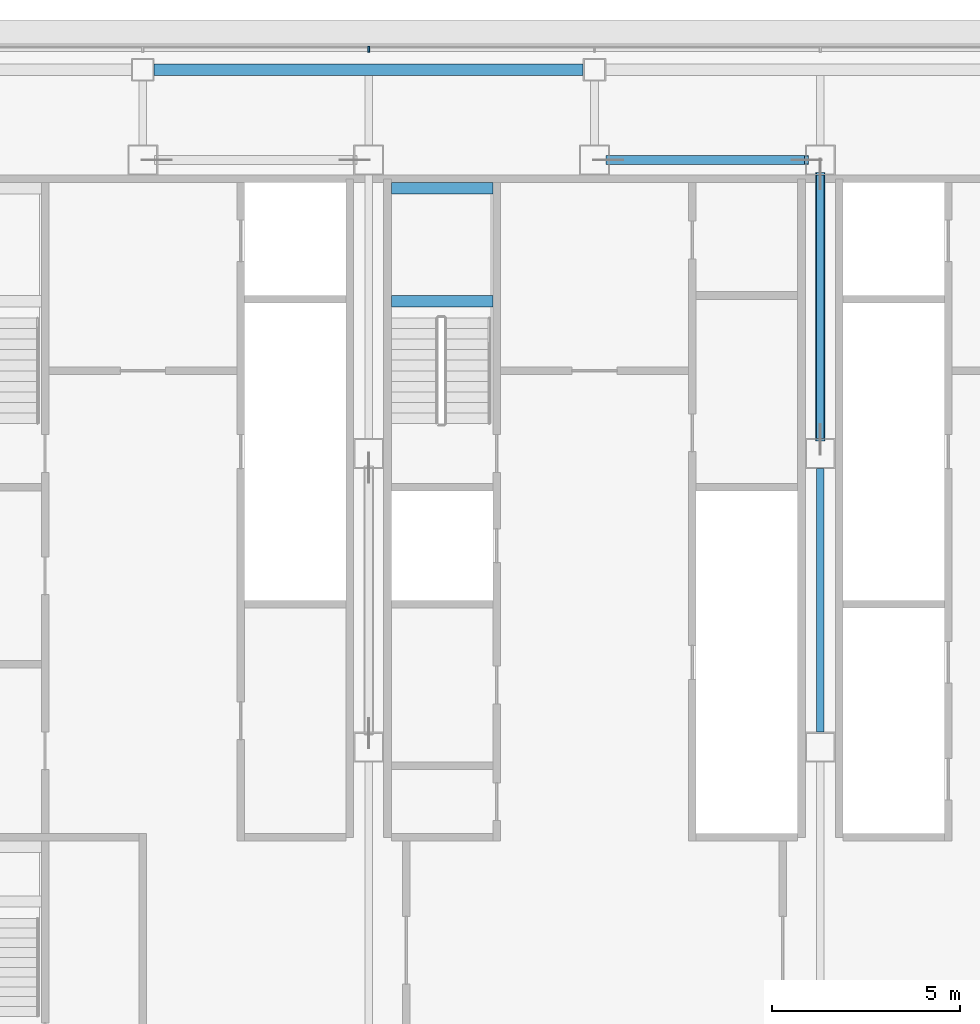
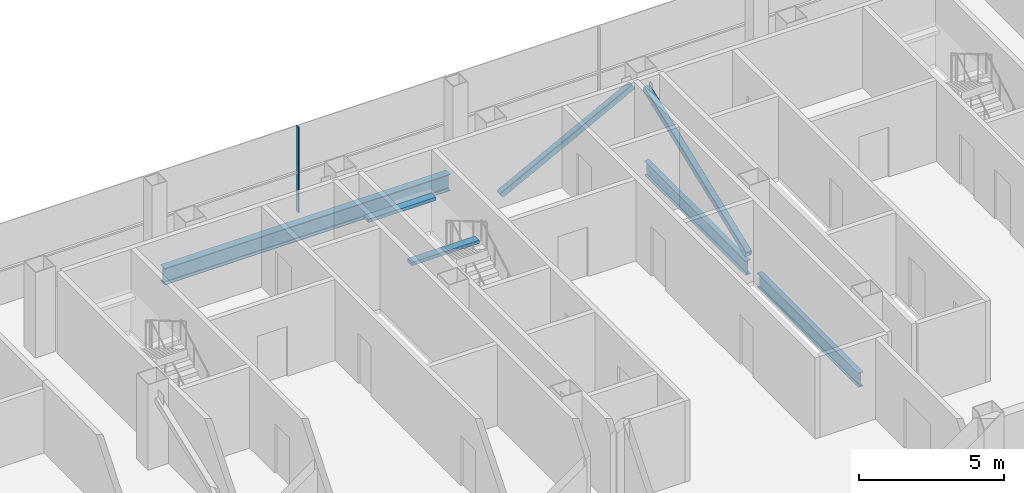
# One storey, part 14 of 28: 5 beams, 3 members, 1 element without a shape of its own.
"""IFC4 building model written with IfcOpenShell, lengths in metres."""

from ifc_helpers import new_model, si_unit, direction, frame, origin, origin_2d, place, context, subcontext, project, spatial, rectangle, hollow_rectangle, i_section, extrude, material, material_profile, profile_set, type_object, element, aggregate, save


model = new_model("IFC4")

# Units and contexts
model_context = context("Model", 3, precision=1e-05, world=origin(), true_north=direction((0.0, 1.0)))
body_context = subcontext(model_context, "Body", "Model", "MODEL_VIEW")
ifc_project = project(units=[si_unit("LENGTHUNIT", "METRE"), si_unit("AREAUNIT", "SQUARE_METRE"), si_unit("VOLUMEUNIT", "CUBIC_METRE"), si_unit("PLANEANGLEUNIT", "RADIAN"), si_unit("MASSUNIT", "GRAM", prefix="KILO")], contexts=[model_context])

# Site, building, storey
site_placement = place(None, origin())
site = spatial("IfcSite", under=ifc_project, at=site_placement, CompositionType="ELEMENT")
building_placement = place(site_placement, origin())
building = spatial("IfcBuilding", under=site, at=building_placement, Name="Sorahane Residences", CompositionType="ELEMENT")
storey_placement = place(building_placement, frame((0.0, 0.0, 270.199951171875)))
storey = spatial("IfcBuildingStorey", under=building, at=storey_placement, Name="L64", CompositionType="ELEMENT", Elevation=270.199951171875)

# Members
ifc_material_1 = material(Name="Steel Q355B", Category="steel")
ifc_material_profile_1 = material_profile(ifc_material_1, hollow_rectangle(XDim=0.25, YDim=0.25, WallThickness=0.013916015625, InnerFilletRadius=0.007080078125, OuterFilletRadius=0.02099609375, at=origin_2d()), Name="RHS 250x250x14")
ifc_profile_set_1 = profile_set([ifc_material_profile_1], Name="Steel Q355B")
member_type_1 = type_object("IfcMemberType", Name="Core brace RHS 250x250x14 Q355B", PredefinedType="BRACE", material=ifc_profile_set_1)
member_1_placement = place(storey_placement, frame((24.365234375, 45.60009765625, 0.10693359375), z_axis=(0.886099769192, 0.0, 0.46349455125), x_axis=(0.0, 1.0, 0.0)))
element("IfcMember", 1, at=member_1_placement, inside=storey, type_object=member_type_1, Name="Core brace L64 y45.6-4", PredefinedType="BRACE", context=body_context, shape_type="SweptSolid", body=[
    extrude(hollow_rectangle(XDim=0.25, YDim=0.25, WallThickness=0.013916015625, InnerFilletRadius=0.007080078125, OuterFilletRadius=0.02099609375, at=origin_2d()), origin(), (0.0, 0.0, 1.0), 5.94677734375),
])
member_2_placement = place(storey_placement, frame((30.0, 38.1728515625, 0.114501953125), z_axis=(0.0, 0.932097872445, 0.362206510411), x_axis=(-1.0, 0.0, 0.0)))
element("IfcMember", 2, at=member_2_placement, inside=storey, type_object=member_type_1, Name="Core brace L64 x30-2", PredefinedType="BRACE", context=body_context, shape_type="SweptSolid", body=[
    extrude(hollow_rectangle(XDim=0.25, YDim=0.25, WallThickness=0.013916015625, InnerFilletRadius=0.007080078125, OuterFilletRadius=0.02099609375, at=origin_2d()), origin(), (0.0, 0.0, 1.0), 7.568115234375),
])

# Curtain wall, member
ifc_material_2 = material(Name="Dark low-e glass and black anodised aluminium", Category="aluminium")
curtain_wall_type = type_object("IfcCurtainWallType", Name="Curtain wall CW-1 Typical unitised wall", PredefinedType="NOTDEFINED", material=ifc_material_2)
curtain_wall_placement = place(storey_placement, origin())
curtain_wall = element("IfcCurtainWall", 3, at=curtain_wall_placement, inside=storey, type_object=curtain_wall_type, Name="CW-1 curtain wall L64 N1", PredefinedType="NOTDEFINED")
ifc_material_3 = material(Name="Black anodised aluminium", Category="aluminium")
ifc_material_profile_2 = material_profile(ifc_material_3, rectangle(XDim=0.159912109375, YDim=0.050048828125, at=origin_2d()), Name="Curtain wall mullion CW-1 black anodised aluminium 50x160")
ifc_profile_set_2 = profile_set([ifc_material_profile_2], Name="Black anodised aluminium")
member_type_2 = type_object("IfcMemberType", Name="Curtain wall mullion CW-1 black anodised aluminium 50x160", PredefinedType="MULLION", material=ifc_profile_set_2)
member_3_placement = place(storey_placement, frame((18.0, 48.5400390625, -0.179931640625), z_axis=(0.0, 0.0, 1.0), x_axis=(0.0, 1.0, 0.0)))
member_3 = element("IfcMember", 4, at=member_3_placement, type_object=member_type_2, Name="CW-1 mullion L64 N1.6", PredefinedType="MULLION", context=body_context, shape_type="SweptSolid", body=[
    extrude(rectangle(XDim=0.159912109375, YDim=0.050048828125, at=origin_2d()), origin(), (0.0, 0.0, 1.0), 3.60009765625),
])
aggregate(curtain_wall, [member_3])

# Beams
ifc_material_4 = material(Name="Concrete C40", Category="concrete")
ifc_material_profile_3 = material_profile(ifc_material_4, rectangle(XDim=0.300048828125, YDim=0.139892578125, at=origin_2d()), Name="300x140")
ifc_profile_set_3 = profile_set([ifc_material_profile_3], Name="Concrete C40")
beam_type_1 = type_object("IfcBeamType", Name="RC landing beam 300 x 140 Concrete C40", PredefinedType="BEAM", material=ifc_profile_set_3)
for number, where, z_axis, x_axis, name in (
    (5, (18.60009765625, 41.85009765625, 1.530029296875), (1.0, 0.0, 0.0), (0.0, 1.0, 0.0), "Landing beam"),
    (6, (18.60009765625, 44.85009765625, 1.530029296875), (1.0, 0.0, 0.0), (0.0, 1.0, 0.0), "Landing beam"),
):
    element("IfcBeam", number, at=place(storey_placement, frame(where, z_axis=z_axis, x_axis=x_axis)), inside=storey, type_object=beam_type_1, Name=name, PredefinedType="BEAM", context=body_context, shape_type="SweptSolid", body=[
        extrude(rectangle(XDim=0.300048828125, YDim=0.139892578125, at=origin_2d()), origin(), (0.0, 0.0, 1.0), 2.699951171875),
    ])
ifc_material_5 = material(Name="Steel Q355B", Category="steel")
ifc_material_profile_4 = material_profile(ifc_material_5, i_section(OverallWidth=0.199951171875, OverallDepth=0.60009765625, WebThickness=0.010986328125, FlangeThickness=0.01708984375, FilletRadius=0.02392578125, at=origin_2d()), Name="HN 600x200x11x17")
ifc_profile_set_4 = profile_set([ifc_material_profile_4], Name="Steel Q355B")
beam_type_2 = type_object("IfcBeamType", Name="Steel floor beam HN 600x200x11x17 Q355B", PredefinedType="BEAM", material=ifc_profile_set_4)
for number, where, z_axis, x_axis, name in (
    (7, (30.0, 30.39990234375, -0.47998046875), (0.0, 1.0, 0.0), (-1.0, 0.0, 0.0), "Beam L64 047"),
    (8, (30.0, 38.199951171875, -0.47998046875), (0.0, 1.0, 0.0), (-1.0, 0.0, 0.0), "Beam L64 048"),
):
    element("IfcBeam", number, at=place(storey_placement, frame(where, z_axis=z_axis, x_axis=x_axis)), inside=storey, type_object=beam_type_2, Name=name, PredefinedType="BEAM", context=body_context, shape_type="SweptSolid", body=[
        extrude(i_section(OverallWidth=0.199951171875, OverallDepth=0.60009765625, WebThickness=0.010986328125, FlangeThickness=0.01708984375, FilletRadius=0.02392578125, at=origin_2d()), origin(), (0.0, 0.0, 1.0), 7.0),
    ])
ifc_material_6 = material(Name="Steel Q355B", Category="steel")
ifc_material_profile_5 = material_profile(ifc_material_6, i_section(OverallWidth=0.300048828125, OverallDepth=0.699951171875, WebThickness=0.012939453125, FlangeThickness=0.02392578125, FilletRadius=0.028076171875, at=origin_2d()), Name="HN 700x300x13x24")
ifc_profile_set_5 = profile_set([ifc_material_profile_5], Name="Steel Q355B")
beam_type_3 = type_object("IfcBeamType", Name="Steel floor beam HN 700x300x13x24 Q355B", PredefinedType="BEAM", material=ifc_profile_set_5)
beam_placement = place(storey_placement, frame((12.300048828125, 48.0, -0.530029296875), z_axis=(1.0, 0.0, 0.0), x_axis=(0.0, 1.0, 0.0)))
element("IfcBeam", 9, at=beam_placement, inside=storey, type_object=beam_type_3, Name="Beam L64 017", PredefinedType="BEAM", context=body_context, shape_type="SweptSolid", body=[
    extrude(i_section(OverallWidth=0.300048828125, OverallDepth=0.699951171875, WebThickness=0.012939453125, FlangeThickness=0.02392578125, FilletRadius=0.028076171875, at=origin_2d()), origin(), (0.0, 0.0, 1.0), 11.39990234375),
])

save(model, "model.ifc")
